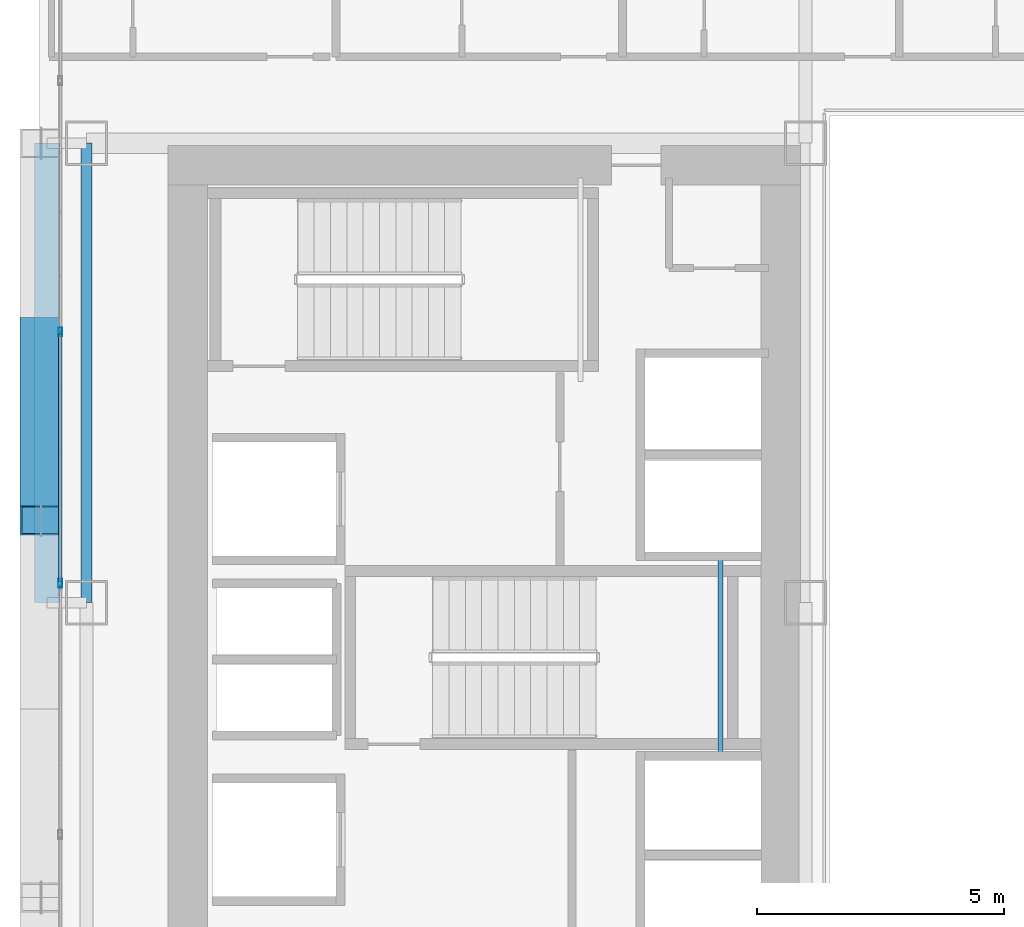
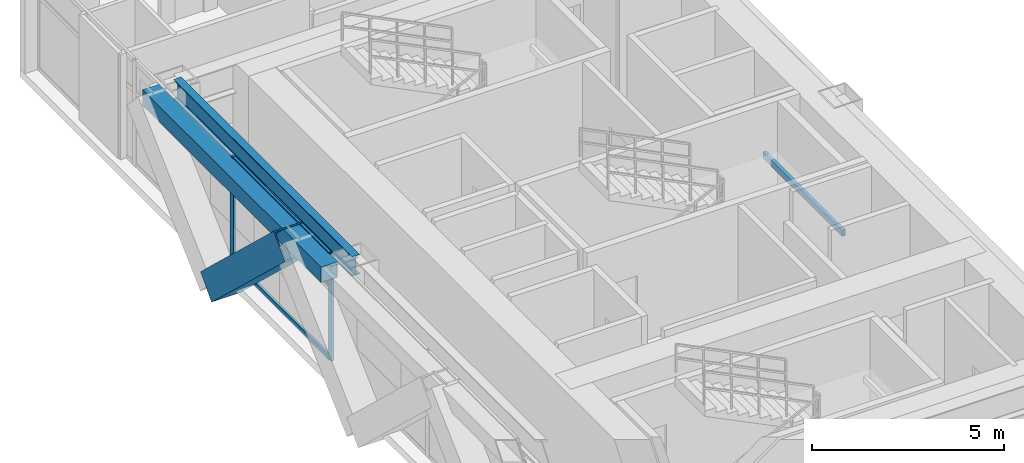
# One storey, part 8 of 38: 6 members, 3 beams, 1 element without a shape of its own.
"""IFC4 building model written with IfcOpenShell, lengths in metres."""

from ifc_helpers import new_model, si_unit, direction, frame, origin, origin_2d, place, context, subcontext, project, spatial, hollow_rectangle, i_section, extrude, source, transform, mapped, material, layer, layer_set, material_profile, profile_set, type_object, element, aggregate, save


model = new_model("IFC4")

# Units and contexts
model_context = context("Model", 3, precision=1e-05, world=origin(), true_north=direction((0.0, 1.0)))
body_context = subcontext(model_context, "Body", "Model", "MODEL_VIEW")
ifc_project = project(units=[si_unit("LENGTHUNIT", "METRE"), si_unit("AREAUNIT", "SQUARE_METRE"), si_unit("VOLUMEUNIT", "CUBIC_METRE"), si_unit("PLANEANGLEUNIT", "RADIAN"), si_unit("MASSUNIT", "GRAM", prefix="KILO")], contexts=[model_context])

# Site, building, storey
site_placement = place(None, origin())
site = spatial("IfcSite", under=ifc_project, at=site_placement, CompositionType="ELEMENT")
building_placement = place(site_placement, origin())
building = spatial("IfcBuilding", under=site, at=building_placement, Name="Ocotamira Hotel", CompositionType="ELEMENT")
storey_placement = place(building_placement, frame((0.0, 0.0, 45.60009765625)))
storey = spatial("IfcBuildingStorey", under=building, at=storey_placement, Name="L10", CompositionType="ELEMENT", Elevation=45.60009765625)

# Beams
ifc_material_1 = material(Name="Steel ASTM A500 Grade C", Category="steel")
ifc_material_profile_1 = material_profile(ifc_material_1, hollow_rectangle(XDim=0.10009765625, YDim=0.199951171875, WallThickness=0.008056640625, at=origin_2d()), Name="HSS200X100X8")
ifc_profile_set_1 = profile_set([ifc_material_profile_1], Name="Steel ASTM A500 Grade C")
beam_type_1 = type_object("IfcBeamType", Name="BM-STLDG-HSS200", PredefinedType="BEAM", material=ifc_profile_set_1)
shared_shape_1 = source(origin(), body_context, "Body", "SweptSolid", [
    extrude(hollow_rectangle(XDim=0.10009765625, YDim=0.199951171875, WallThickness=0.008056640625, at=origin_2d()), origin(), (0.0, 0.0, 1.0), 4.1201171875),
])
beam_1_placement = place(storey_placement, frame((21.780029296875, 24.97998046875, 1.5), z_axis=(0.0, 1.0, 0.0), x_axis=(-1.0, 0.0, 0.0)))
element("IfcBeam", 1, at=beam_1_placement, inside=storey, type_object=beam_type_1, Name="L10 Stair ST-3 Landing Bearer 1", PredefinedType="BEAM", context=body_context, shape_type="MappedRepresentation", body=[
    mapped(shared_shape_1, transform((0.0, 0.0, 0.0), scale=1.0)),
])
ifc_material_2 = material(Name="Steel ASTM A992 Grade 50", Category="steel")
ifc_material_profile_2 = material_profile(ifc_material_2, i_section(OverallWidth=0.22998046875, OverallDepth=0.616943359375, WebThickness=0.01318359375, FlangeThickness=0.022216796875, FilletRadius=0.012939453125, at=origin_2d()), Name="W24X94")
ifc_profile_set_2 = profile_set([ifc_material_profile_2], Name="Steel ASTM A992 Grade 50")
beam_type_2 = type_object("IfcBeamType", Name="BM-PRIM-W24X94", PredefinedType="BEAM", material=ifc_profile_set_2)
shared_shape_2 = source(origin(), body_context, "Body", "SweptSolid", [
    extrude(i_section(OverallWidth=0.22998046875, OverallDepth=0.616943359375, WebThickness=0.01318359375, FlangeThickness=0.022216796875, FilletRadius=0.012939453125, at=origin_2d()), origin(), (0.0, 0.0, 1.0), 9.300048828125),
])
beam_2_placement = place(storey_placement, frame((8.949951171875, 28.14990234375, 3.04150390625), z_axis=(0.0, 1.0, 0.0), x_axis=(-1.0, 0.0, 0.0)))
element("IfcBeam", 2, at=beam_2_placement, inside=storey, type_object=beam_type_2, Name="L10 Beam X8.95 Y28.15-37.45", PredefinedType="BEAM", context=body_context, shape_type="MappedRepresentation", body=[
    mapped(shared_shape_2, transform((0.0, 0.0, 0.0), scale=1.0)),
])
ifc_material_profile_3 = material_profile(ifc_material_1, hollow_rectangle(XDim=0.5, YDim=0.5, WallThickness=0.02001953125, at=origin_2d()), Name="HSS500X500X20")
ifc_profile_set_3 = profile_set([ifc_material_profile_3], Name="Steel ASTM A500 Grade C")
beam_type_3 = type_object("IfcBeamType", Name="BM-SPAN-HSS500", PredefinedType="USERDEFINED", material=ifc_profile_set_3)
shared_shape_3 = source(origin(), body_context, "Body", "SweptSolid", [
    extrude(hollow_rectangle(XDim=0.5, YDim=0.5, WallThickness=0.02001953125, at=origin_2d()), origin(), (0.0, 0.0, 1.0), 9.300048828125),
])
beam_3_placement = place(storey_placement, frame((8.14990234375, 28.14990234375, 3.099853515625), z_axis=(0.0, 1.0, 0.0), x_axis=(-1.0, 0.0, 0.0)))
element("IfcBeam", 3, at=beam_3_placement, inside=storey, type_object=beam_type_3, Name="L10 Edge Spandrel W Y28.15-37.45", ObjectType="SPANDREL", PredefinedType="USERDEFINED", context=body_context, shape_type="MappedRepresentation", body=[
    mapped(shared_shape_3, transform((0.0, 0.0, 0.0), scale=1.0)),
])

# Member
ifc_material_3 = material(Name="Pale-metal coated steel ASTM A913 Grade 65", Category="steel")
ifc_material_profile_4 = material_profile(ifc_material_3, hollow_rectangle(XDim=0.85009765625, YDim=0.85009765625, WallThickness=0.035888671875, at=origin_2d()), Name="BOX850X850X36")
ifc_profile_set_4 = profile_set([ifc_material_profile_4], Name="Pale-metal coated steel ASTM A913 Grade 65")
member_type_1 = type_object("IfcMemberType", Name="MEM-EXO-BOX850", PredefinedType="BRACE", material=ifc_profile_set_4)
shared_shape_4 = source(origin(), body_context, "Body", "SweptSolid", [
    extrude(hollow_rectangle(XDim=0.85009765625, YDim=0.85009765625, WallThickness=0.035888671875, at=origin_2d()), origin(), (0.0, 0.0, 1.0), 5.24658203125),
])
member_1_placement = place(storey_placement, frame((8.030029296875, 33.63330078125, -0.5), z_axis=(0.0, -0.72746596067, 0.686143772154), x_axis=(1.0, 0.0, 0.0)))
element("IfcMember", 4, at=member_1_placement, inside=storey, type_object=member_type_1, Name="L10 Exoskeleton Diagrid W2.1", PredefinedType="BRACE", context=body_context, shape_type="MappedRepresentation", body=[
    mapped(shared_shape_4, transform((0.0, 0.0, 0.0), scale=1.0)),
])

# Curtain wall, members
ifc_material_4 = material(Name="Anodised pale-metal aluminium and solar glass", Category="aluminium")
ifc_layer = layer(ifc_material_4, 0.179931640625)
ifc_layer_set = layer_set([ifc_layer], Name="Anodised pale-metal aluminium and solar glass")
curtain_wall_type = type_object("IfcCurtainWallType", Name="CW-SYS2-Z1", PredefinedType="NOTDEFINED", material=ifc_layer_set)
curtain_wall_placement = place(storey_placement, origin())
curtain_wall = element("IfcCurtainWall", 5, at=curtain_wall_placement, inside=storey, type_object=curtain_wall_type, Name="L10 Curtain Wall CW-2 CW-L10-W", PredefinedType="NOTDEFINED")
ifc_material_5 = material(Name="Anodised pale-metal aluminium 6063-T6", Category="aluminium")
ifc_material_profile_5 = material_profile(ifc_material_5, hollow_rectangle(XDim=0.080078125, YDim=0.179931640625, WallThickness=0.006103515625, at=origin_2d()), Name="HSS180X80X6")
ifc_profile_set_5 = profile_set([ifc_material_profile_5], Name="Anodised pale-metal aluminium 6063-T6")
member_type_2 = type_object("IfcMemberType", Name="CWM-180X75", PredefinedType="MULLION", material=ifc_profile_set_5)
shared_shape_5 = source(origin(), body_context, "Body", "SweptSolid", [
    extrude(hollow_rectangle(XDim=0.080078125, YDim=0.179931640625, WallThickness=0.006103515625, at=origin_2d()), origin(), (0.0, 0.0, 1.0), 3.349853515625),
])
member_2_placement = place(storey_placement, frame((8.419921875, 28.54296875, 0.0), z_axis=(0.0, 0.0, 1.0), x_axis=(-1.0, 0.0, 0.0)))
member_2 = element("IfcMember", 6, at=member_2_placement, type_object=member_type_2, Name="CW-2 mullion 5", PredefinedType="MULLION", context=body_context, shape_type="MappedRepresentation", body=[
    mapped(shared_shape_5, transform((0.0, 0.0, 0.0), scale=1.0)),
])
member_3_placement = place(storey_placement, frame((8.419921875, 33.628662109375, 0.0), z_axis=(0.0, 0.0, 1.0), x_axis=(-1.0, 0.0, 0.0)))
member_3 = element("IfcMember", 7, at=member_3_placement, type_object=member_type_2, Name="CW-2 mullion 6", PredefinedType="MULLION", context=body_context, shape_type="MappedRepresentation", body=[
    mapped(shared_shape_5, transform((0.0, 0.0, 0.0), scale=1.0)),
])
ifc_material_profile_6 = material_profile(ifc_material_5, hollow_rectangle(XDim=0.074951171875, YDim=0.14990234375, WallThickness=0.006103515625, at=origin_2d()), Name="HSS150X75X6")
ifc_profile_set_6 = profile_set([ifc_material_profile_6], Name="Anodised pale-metal aluminium 6063-T6")
member_type_3 = type_object("IfcMemberType", Name="CWT-150X75", PredefinedType="USERDEFINED", material=ifc_profile_set_6)
shared_shape_6 = source(origin(), body_context, "Body", "SweptSolid", [
    extrude(hollow_rectangle(XDim=0.074951171875, YDim=0.14990234375, WallThickness=0.006103515625, at=origin_2d()), origin(), (0.0, 0.0, 1.0), 5.005859375),
])
member_4_placement = place(storey_placement, frame((8.419921875, 28.582763671875, 0.037353515625), z_axis=(0.0, 1.0, 0.0), x_axis=(-1.0, 0.0, 0.0)))
member_4 = element("IfcMember", 8, at=member_4_placement, type_object=member_type_3, Name="CW-2 transom 5.1", ObjectType="TRANSOM", PredefinedType="USERDEFINED", context=body_context, shape_type="MappedRepresentation", body=[
    mapped(shared_shape_6, transform((0.0, 0.0, 0.0), scale=1.0)),
])
member_5_placement = place(storey_placement, frame((8.419921875, 28.582763671875, 2.349853515625), z_axis=(0.0, 1.0, 0.0), x_axis=(-1.0, 0.0, 0.0)))
member_5 = element("IfcMember", 9, at=member_5_placement, type_object=member_type_3, Name="CW-2 transom 5.2", ObjectType="TRANSOM", PredefinedType="USERDEFINED", context=body_context, shape_type="MappedRepresentation", body=[
    mapped(shared_shape_6, transform((0.0, 0.0, 0.0), scale=1.0)),
])
member_6_placement = place(storey_placement, frame((8.419921875, 28.582763671875, 3.3125), z_axis=(0.0, 1.0, 0.0), x_axis=(-1.0, 0.0, 0.0)))
member_6 = element("IfcMember", 10, at=member_6_placement, type_object=member_type_3, Name="CW-2 transom 5.3", ObjectType="TRANSOM", PredefinedType="USERDEFINED", context=body_context, shape_type="MappedRepresentation", body=[
    mapped(shared_shape_6, transform((0.0, 0.0, 0.0), scale=1.0)),
])
aggregate(curtain_wall, [member_2, member_3, member_4, member_5, member_6])

save(model, "model.ifc")
